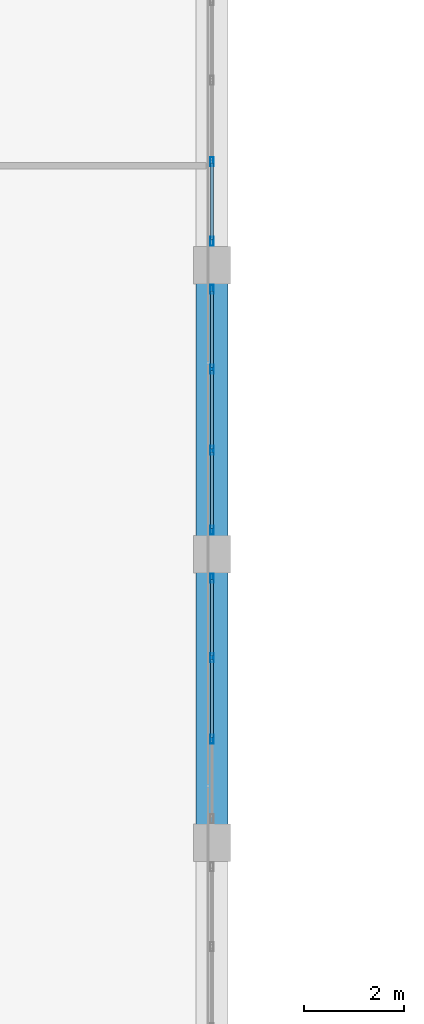
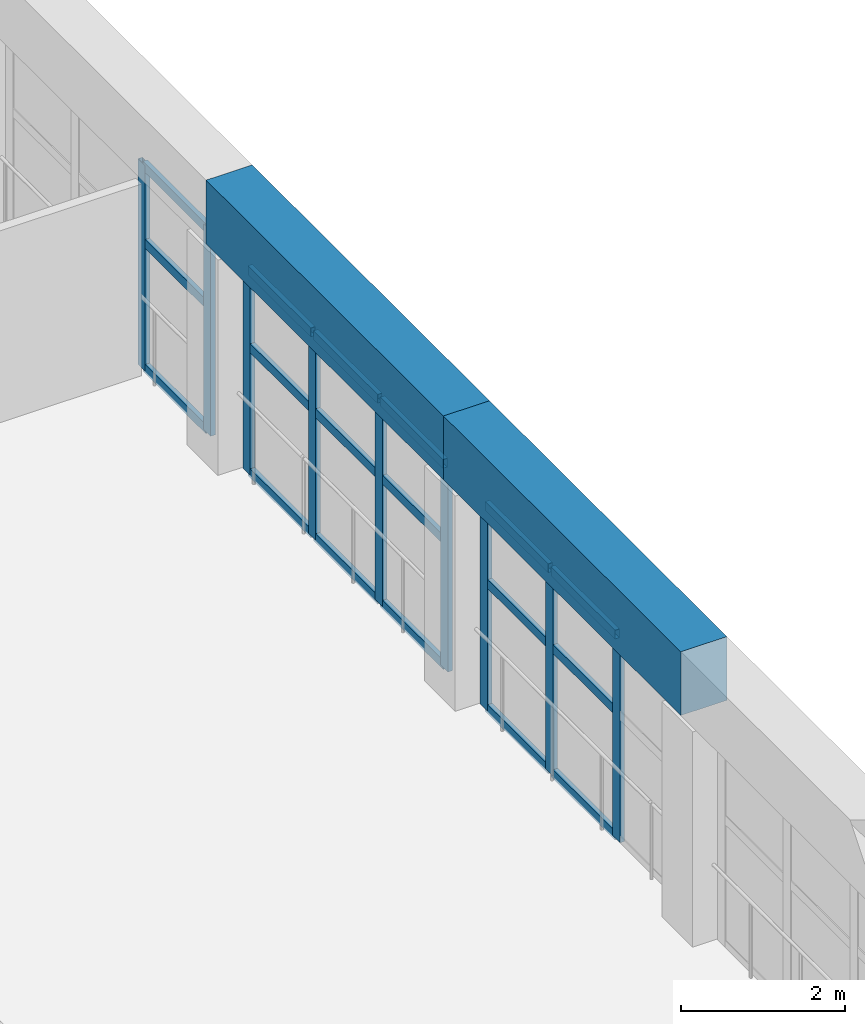
# One storey, part 33 of 128: 27 members, 2 beams, 3 elements without a shape of their own.
"""IFC4 building model written with IfcOpenShell, lengths in metres."""

from ifc_helpers import new_model, si_unit, direction, frame, origin, origin_2d, place, context, subcontext, project, spatial, rectangle, hollow_rectangle, extrude, material, material_profile, profile_set, type_object, element, aggregate, save


model = new_model("IFC4")

# Units and contexts
model_context = context("Model", 3, precision=1e-05, world=origin(), true_north=direction((0.0, 1.0)))
body_context = subcontext(model_context, "Body", "Model", "MODEL_VIEW")
ifc_project = project(units=[si_unit("LENGTHUNIT", "METRE"), si_unit("AREAUNIT", "SQUARE_METRE"), si_unit("VOLUMEUNIT", "CUBIC_METRE"), si_unit("PLANEANGLEUNIT", "RADIAN"), si_unit("MASSUNIT", "GRAM", prefix="KILO")], contexts=[model_context])

# Site, building, storey
site_placement = place(None, origin())
site = spatial("IfcSite", under=ifc_project, at=site_placement, CompositionType="ELEMENT")
building_placement = place(site_placement, origin())
building = spatial("IfcBuilding", under=site, at=building_placement, Name="Tanwirah Colonnade Gardens", CompositionType="ELEMENT")
storey_placement = place(building_placement, frame((0.0, 0.0, 4.760009765625)))
storey = spatial("IfcBuildingStorey", under=building, at=storey_placement, Name="L01", CompositionType="ELEMENT", Elevation=4.760009765625)

# Curtain wall, members
ifc_material_1 = material(Name="Bronze-anodised aluminium and solar-control low-E glass", Category="aluminium")
curtain_wall_type = type_object("IfcCurtainWallType", Name="CW-HALL", PredefinedType="NOTDEFINED", material=ifc_material_1)
curtain_wall_1_placement = place(storey_placement, origin())
curtain_wall_1 = element("IfcCurtainWall", 1, at=curtain_wall_1_placement, inside=storey, type_object=curtain_wall_type, Name="Curtain Wall CW-HALL-L01-E-3", PredefinedType="NOTDEFINED")
ifc_material_2 = material(Name="Bronze-anodised aluminium", Category="aluminium")
ifc_material_profile_1 = material_profile(ifc_material_2, hollow_rectangle(XDim=0.06494140625, YDim=0.179931640625, WallThickness=0.00390625, at=origin_2d()), Name="CW-MUL 65x180x4")
ifc_profile_set_1 = profile_set([ifc_material_profile_1], Name="Bronze-anodised aluminium")
member_type_1 = type_object("IfcMemberType", Name="CWM-65x180", PredefinedType="MULLION", material=ifc_profile_set_1)
member_1_placement = place(storey_placement, frame((108.0, 53.4833984375, 0.0), z_axis=(0.0, 0.0, 1.0), x_axis=(-1.0, 0.0, 0.0)))
member_1 = element("IfcMember", 2, at=member_1_placement, type_object=member_type_1, Name="CW-HALL mullion 2", PredefinedType="MULLION", context=body_context, shape_type="SweptSolid", body=[
    extrude(hollow_rectangle(XDim=0.06494140625, YDim=0.179931640625, WallThickness=0.00390625, at=origin_2d()), origin(), (0.0, 0.0, 1.0), 3.06005859375),
])
member_2_placement = place(storey_placement, frame((108.0, 55.11669921875, 0.0), z_axis=(0.0, 0.0, 1.0), x_axis=(-1.0, 0.0, 0.0)))
member_2 = element("IfcMember", 3, at=member_2_placement, type_object=member_type_1, Name="CW-HALL mullion 3", PredefinedType="MULLION", context=body_context, shape_type="SweptSolid", body=[
    extrude(hollow_rectangle(XDim=0.06494140625, YDim=0.179931640625, WallThickness=0.00390625, at=origin_2d()), origin(), (0.0, 0.0, 1.0), 3.06005859375),
])
member_3_placement = place(storey_placement, frame((108.0, 56.717529296875, 0.0), z_axis=(0.0, 0.0, 1.0), x_axis=(-1.0, 0.0, 0.0)))
member_3 = element("IfcMember", 4, at=member_3_placement, type_object=member_type_1, Name="CW-HALL mullion 4", PredefinedType="MULLION", context=body_context, shape_type="SweptSolid", body=[
    extrude(hollow_rectangle(XDim=0.06494140625, YDim=0.179931640625, WallThickness=0.00390625, at=origin_2d()), origin(), (0.0, 0.0, 1.0), 3.06005859375),
])

curtain_wall_2_placement = place(storey_placement, origin())
curtain_wall_2 = element("IfcCurtainWall", 5, at=curtain_wall_2_placement, inside=storey, type_object=curtain_wall_type, Name="Curtain Wall CW-HALL-L01-E-4", PredefinedType="NOTDEFINED")
member_4_placement = place(storey_placement, frame((108.0, 57.6826171875, 0.0), z_axis=(0.0, 0.0, 1.0), x_axis=(-1.0, 0.0, 0.0)))
member_4 = element("IfcMember", 6, at=member_4_placement, type_object=member_type_1, Name="CW-HALL mullion 1", PredefinedType="MULLION", context=body_context, shape_type="SweptSolid", body=[
    extrude(hollow_rectangle(XDim=0.06494140625, YDim=0.179931640625, WallThickness=0.00390625, at=origin_2d()), origin(), (0.0, 0.0, 1.0), 3.06005859375),
])
member_5_placement = place(storey_placement, frame((108.0, 59.283447265625, 0.0), z_axis=(0.0, 0.0, 1.0), x_axis=(-1.0, 0.0, 0.0)))
member_5 = element("IfcMember", 7, at=member_5_placement, type_object=member_type_1, Name="CW-HALL mullion 2", PredefinedType="MULLION", context=body_context, shape_type="SweptSolid", body=[
    extrude(hollow_rectangle(XDim=0.06494140625, YDim=0.179931640625, WallThickness=0.00390625, at=origin_2d()), origin(), (0.0, 0.0, 1.0), 3.06005859375),
])
member_6_placement = place(storey_placement, frame((108.0, 60.916748046875, 0.0), z_axis=(0.0, 0.0, 1.0), x_axis=(-1.0, 0.0, 0.0)))
member_6 = element("IfcMember", 8, at=member_6_placement, type_object=member_type_1, Name="CW-HALL mullion 3", PredefinedType="MULLION", context=body_context, shape_type="SweptSolid", body=[
    extrude(hollow_rectangle(XDim=0.06494140625, YDim=0.179931640625, WallThickness=0.00390625, at=origin_2d()), origin(), (0.0, 0.0, 1.0), 3.06005859375),
])
member_7_placement = place(storey_placement, frame((108.0, 62.517578125, 0.0), z_axis=(0.0, 0.0, 1.0), x_axis=(-1.0, 0.0, 0.0)))
member_7 = element("IfcMember", 9, at=member_7_placement, type_object=member_type_1, Name="CW-HALL mullion 4", PredefinedType="MULLION", context=body_context, shape_type="SweptSolid", body=[
    extrude(hollow_rectangle(XDim=0.06494140625, YDim=0.179931640625, WallThickness=0.00390625, at=origin_2d()), origin(), (0.0, 0.0, 1.0), 3.06005859375),
])

curtain_wall_3_placement = place(storey_placement, origin())
curtain_wall_3 = element("IfcCurtainWall", 10, at=curtain_wall_3_placement, inside=storey, type_object=curtain_wall_type, Name="Curtain Wall CW-HALL-L01-E-5", PredefinedType="NOTDEFINED")
member_8_placement = place(storey_placement, frame((108.0, 63.482421875, 0.0), z_axis=(0.0, 0.0, 1.0), x_axis=(-1.0, 0.0, 0.0)))
member_8 = element("IfcMember", 11, at=member_8_placement, type_object=member_type_1, Name="CW-HALL mullion 1", PredefinedType="MULLION", context=body_context, shape_type="SweptSolid", body=[
    extrude(hollow_rectangle(XDim=0.06494140625, YDim=0.179931640625, WallThickness=0.00390625, at=origin_2d()), origin(), (0.0, 0.0, 1.0), 3.06005859375),
])
member_9_placement = place(storey_placement, frame((108.0, 65.083251953125, 0.0), z_axis=(0.0, 0.0, 1.0), x_axis=(-1.0, 0.0, 0.0)))
member_9 = element("IfcMember", 12, at=member_9_placement, type_object=member_type_1, Name="CW-HALL mullion 2", PredefinedType="MULLION", context=body_context, shape_type="SweptSolid", body=[
    extrude(hollow_rectangle(XDim=0.06494140625, YDim=0.179931640625, WallThickness=0.00390625, at=origin_2d()), origin(), (0.0, 0.0, 1.0), 3.06005859375),
])

# Member
ifc_material_profile_2 = material_profile(ifc_material_2, hollow_rectangle(XDim=0.06494140625, YDim=0.135009765625, WallThickness=0.00390625, at=origin_2d()), Name="CW-TRN 65x135x4")
ifc_profile_set_2 = profile_set([ifc_material_profile_2], Name="Bronze-anodised aluminium")
member_type_2 = type_object("IfcMemberType", Name="CWT-65x135", PredefinedType="USERDEFINED", material=ifc_profile_set_2)
member_10_placement = place(storey_placement, frame((108.0, 53.515869140625, 0.032470703125), z_axis=(0.0, 1.0, 0.0), x_axis=(-1.0, 0.0, 0.0)))
member_10 = element("IfcMember", 13, at=member_10_placement, type_object=member_type_2, Name="CW-HALL transom 2.1", ObjectType="TRANSOM", PredefinedType="USERDEFINED", context=body_context, shape_type="SweptSolid", body=[
    extrude(hollow_rectangle(XDim=0.06494140625, YDim=0.135009765625, WallThickness=0.00390625, at=origin_2d()), origin(), (0.0, 0.0, 1.0), 1.568359375),
])

member_11_placement = place(storey_placement, frame((108.0, 53.515869140625, 1.897216796875), z_axis=(0.0, 1.0, 0.0), x_axis=(-1.0, 0.0, 0.0)))
member_11 = element("IfcMember", 14, at=member_11_placement, type_object=member_type_2, Name="CW-HALL transom 2.2", ObjectType="TRANSOM", PredefinedType="USERDEFINED", context=body_context, shape_type="SweptSolid", body=[
    extrude(hollow_rectangle(XDim=0.06494140625, YDim=0.135009765625, WallThickness=0.00390625, at=origin_2d()), origin(), (0.0, 0.0, 1.0), 1.568359375),
])

member_12_placement = place(storey_placement, frame((108.0, 53.515869140625, 3.027587890625), z_axis=(0.0, 1.0, 0.0), x_axis=(-1.0, 0.0, 0.0)))
member_12 = element("IfcMember", 15, at=member_12_placement, type_object=member_type_2, Name="CW-HALL transom 2.3", ObjectType="TRANSOM", PredefinedType="USERDEFINED", context=body_context, shape_type="SweptSolid", body=[
    extrude(hollow_rectangle(XDim=0.06494140625, YDim=0.135009765625, WallThickness=0.00390625, at=origin_2d()), origin(), (0.0, 0.0, 1.0), 1.568359375),
])

member_13_placement = place(storey_placement, frame((108.0, 55.149169921875, 0.032470703125), z_axis=(0.0, 1.0, 0.0), x_axis=(-1.0, 0.0, 0.0)))
member_13 = element("IfcMember", 16, at=member_13_placement, type_object=member_type_2, Name="CW-HALL transom 3.1", ObjectType="TRANSOM", PredefinedType="USERDEFINED", context=body_context, shape_type="SweptSolid", body=[
    extrude(hollow_rectangle(XDim=0.06494140625, YDim=0.135009765625, WallThickness=0.00390625, at=origin_2d()), origin(), (0.0, 0.0, 1.0), 1.535888671875),
])

member_14_placement = place(storey_placement, frame((108.0, 55.149169921875, 1.897216796875), z_axis=(0.0, 1.0, 0.0), x_axis=(-1.0, 0.0, 0.0)))
member_14 = element("IfcMember", 17, at=member_14_placement, type_object=member_type_2, Name="CW-HALL transom 3.2", ObjectType="TRANSOM", PredefinedType="USERDEFINED", context=body_context, shape_type="SweptSolid", body=[
    extrude(hollow_rectangle(XDim=0.06494140625, YDim=0.135009765625, WallThickness=0.00390625, at=origin_2d()), origin(), (0.0, 0.0, 1.0), 1.535888671875),
])

member_15_placement = place(storey_placement, frame((108.0, 55.149169921875, 3.027587890625), z_axis=(0.0, 1.0, 0.0), x_axis=(-1.0, 0.0, 0.0)))
member_15 = element("IfcMember", 18, at=member_15_placement, type_object=member_type_2, Name="CW-HALL transom 3.3", ObjectType="TRANSOM", PredefinedType="USERDEFINED", context=body_context, shape_type="SweptSolid", body=[
    extrude(hollow_rectangle(XDim=0.06494140625, YDim=0.135009765625, WallThickness=0.00390625, at=origin_2d()), origin(), (0.0, 0.0, 1.0), 1.535888671875),
])

aggregate(curtain_wall_1, [member_1, member_2, member_3, member_10, member_11, member_12, member_13, member_14, member_15])

member_16_placement = place(storey_placement, frame((108.0, 57.715087890625, 0.032470703125), z_axis=(0.0, 1.0, 0.0), x_axis=(-1.0, 0.0, 0.0)))
member_16 = element("IfcMember", 19, at=member_16_placement, type_object=member_type_2, Name="CW-HALL transom 1.1", ObjectType="TRANSOM", PredefinedType="USERDEFINED", context=body_context, shape_type="SweptSolid", body=[
    extrude(hollow_rectangle(XDim=0.06494140625, YDim=0.135009765625, WallThickness=0.00390625, at=origin_2d()), origin(), (0.0, 0.0, 1.0), 1.53564453125),
])

member_17_placement = place(storey_placement, frame((108.0, 57.715087890625, 1.897216796875), z_axis=(0.0, 1.0, 0.0), x_axis=(-1.0, 0.0, 0.0)))
member_17 = element("IfcMember", 20, at=member_17_placement, type_object=member_type_2, Name="CW-HALL transom 1.2", ObjectType="TRANSOM", PredefinedType="USERDEFINED", context=body_context, shape_type="SweptSolid", body=[
    extrude(hollow_rectangle(XDim=0.06494140625, YDim=0.135009765625, WallThickness=0.00390625, at=origin_2d()), origin(), (0.0, 0.0, 1.0), 1.53564453125),
])

member_18_placement = place(storey_placement, frame((108.0, 57.715087890625, 3.027587890625), z_axis=(0.0, 1.0, 0.0), x_axis=(-1.0, 0.0, 0.0)))
member_18 = element("IfcMember", 21, at=member_18_placement, type_object=member_type_2, Name="CW-HALL transom 1.3", ObjectType="TRANSOM", PredefinedType="USERDEFINED", context=body_context, shape_type="SweptSolid", body=[
    extrude(hollow_rectangle(XDim=0.06494140625, YDim=0.135009765625, WallThickness=0.00390625, at=origin_2d()), origin(), (0.0, 0.0, 1.0), 1.53564453125),
])

member_19_placement = place(storey_placement, frame((108.0, 59.31591796875, 0.032470703125), z_axis=(0.0, 1.0, 0.0), x_axis=(-1.0, 0.0, 0.0)))
member_19 = element("IfcMember", 22, at=member_19_placement, type_object=member_type_2, Name="CW-HALL transom 2.1", ObjectType="TRANSOM", PredefinedType="USERDEFINED", context=body_context, shape_type="SweptSolid", body=[
    extrude(hollow_rectangle(XDim=0.06494140625, YDim=0.135009765625, WallThickness=0.00390625, at=origin_2d()), origin(), (0.0, 0.0, 1.0), 1.568359375),
])

member_20_placement = place(storey_placement, frame((108.0, 59.31591796875, 1.897216796875), z_axis=(0.0, 1.0, 0.0), x_axis=(-1.0, 0.0, 0.0)))
member_20 = element("IfcMember", 23, at=member_20_placement, type_object=member_type_2, Name="CW-HALL transom 2.2", ObjectType="TRANSOM", PredefinedType="USERDEFINED", context=body_context, shape_type="SweptSolid", body=[
    extrude(hollow_rectangle(XDim=0.06494140625, YDim=0.135009765625, WallThickness=0.00390625, at=origin_2d()), origin(), (0.0, 0.0, 1.0), 1.568359375),
])

member_21_placement = place(storey_placement, frame((108.0, 59.31591796875, 3.027587890625), z_axis=(0.0, 1.0, 0.0), x_axis=(-1.0, 0.0, 0.0)))
member_21 = element("IfcMember", 24, at=member_21_placement, type_object=member_type_2, Name="CW-HALL transom 2.3", ObjectType="TRANSOM", PredefinedType="USERDEFINED", context=body_context, shape_type="SweptSolid", body=[
    extrude(hollow_rectangle(XDim=0.06494140625, YDim=0.135009765625, WallThickness=0.00390625, at=origin_2d()), origin(), (0.0, 0.0, 1.0), 1.568359375),
])

member_22_placement = place(storey_placement, frame((108.0, 60.94921875, 0.032470703125), z_axis=(0.0, 1.0, 0.0), x_axis=(-1.0, 0.0, 0.0)))
member_22 = element("IfcMember", 25, at=member_22_placement, type_object=member_type_2, Name="CW-HALL transom 3.1", ObjectType="TRANSOM", PredefinedType="USERDEFINED", context=body_context, shape_type="SweptSolid", body=[
    extrude(hollow_rectangle(XDim=0.06494140625, YDim=0.135009765625, WallThickness=0.00390625, at=origin_2d()), origin(), (0.0, 0.0, 1.0), 1.535888671875),
])

member_23_placement = place(storey_placement, frame((108.0, 60.94921875, 1.897216796875), z_axis=(0.0, 1.0, 0.0), x_axis=(-1.0, 0.0, 0.0)))
member_23 = element("IfcMember", 26, at=member_23_placement, type_object=member_type_2, Name="CW-HALL transom 3.2", ObjectType="TRANSOM", PredefinedType="USERDEFINED", context=body_context, shape_type="SweptSolid", body=[
    extrude(hollow_rectangle(XDim=0.06494140625, YDim=0.135009765625, WallThickness=0.00390625, at=origin_2d()), origin(), (0.0, 0.0, 1.0), 1.535888671875),
])

member_24_placement = place(storey_placement, frame((108.0, 60.94921875, 3.027587890625), z_axis=(0.0, 1.0, 0.0), x_axis=(-1.0, 0.0, 0.0)))
member_24 = element("IfcMember", 27, at=member_24_placement, type_object=member_type_2, Name="CW-HALL transom 3.3", ObjectType="TRANSOM", PredefinedType="USERDEFINED", context=body_context, shape_type="SweptSolid", body=[
    extrude(hollow_rectangle(XDim=0.06494140625, YDim=0.135009765625, WallThickness=0.00390625, at=origin_2d()), origin(), (0.0, 0.0, 1.0), 1.535888671875),
])

aggregate(curtain_wall_2, [member_4, member_5, member_6, member_7, member_16, member_17, member_18, member_19, member_20, member_21, member_22, member_23, member_24])

member_25_placement = place(storey_placement, frame((108.0, 63.514892578125, 0.032470703125), z_axis=(0.0, 1.0, 0.0), x_axis=(-1.0, 0.0, 0.0)))
member_25 = element("IfcMember", 28, at=member_25_placement, type_object=member_type_2, Name="CW-HALL transom 1.1", ObjectType="TRANSOM", PredefinedType="USERDEFINED", context=body_context, shape_type="SweptSolid", body=[
    extrude(hollow_rectangle(XDim=0.06494140625, YDim=0.135009765625, WallThickness=0.00390625, at=origin_2d()), origin(), (0.0, 0.0, 1.0), 1.535888671875),
])

member_26_placement = place(storey_placement, frame((108.0, 63.514892578125, 1.897216796875), z_axis=(0.0, 1.0, 0.0), x_axis=(-1.0, 0.0, 0.0)))
member_26 = element("IfcMember", 29, at=member_26_placement, type_object=member_type_2, Name="CW-HALL transom 1.2", ObjectType="TRANSOM", PredefinedType="USERDEFINED", context=body_context, shape_type="SweptSolid", body=[
    extrude(hollow_rectangle(XDim=0.06494140625, YDim=0.135009765625, WallThickness=0.00390625, at=origin_2d()), origin(), (0.0, 0.0, 1.0), 1.535888671875),
])

member_27_placement = place(storey_placement, frame((108.0, 63.514892578125, 3.027587890625), z_axis=(0.0, 1.0, 0.0), x_axis=(-1.0, 0.0, 0.0)))
member_27 = element("IfcMember", 30, at=member_27_placement, type_object=member_type_2, Name="CW-HALL transom 1.3", ObjectType="TRANSOM", PredefinedType="USERDEFINED", context=body_context, shape_type="SweptSolid", body=[
    extrude(hollow_rectangle(XDim=0.06494140625, YDim=0.135009765625, WallThickness=0.00390625, at=origin_2d()), origin(), (0.0, 0.0, 1.0), 1.535888671875),
])

aggregate(curtain_wall_3, [member_8, member_9, member_25, member_26, member_27])

# Beams
ifc_material_3 = material(Name="Concrete C45/55", Category="concrete")
ifc_material_profile_3 = material_profile(ifc_material_3, rectangle(XDim=0.64990234375, YDim=0.949951171875, at=origin_2d()), Name="RC-RB 650x950")
ifc_profile_set_3 = profile_set([ifc_material_profile_3], Name="Concrete C45/55")
beam_type = type_object("IfcBeamType", Name="RB-V650", PredefinedType="BEAM", material=ifc_profile_set_3)
for number, where, z_axis, x_axis, name in (
    (31, (108.0, 51.39990234375, 3.68505859375), (0.0, 1.0, 0.0), (-1.0, 0.0, 0.0), "Community Hall Vault Ring Beam E-3"),
    (32, (108.0, 57.199951171875, 3.68505859375), (0.0, 1.0, 0.0), (-1.0, 0.0, 0.0), "Community Hall Vault Ring Beam E-4"),
):
    element("IfcBeam", number, at=place(storey_placement, frame(where, z_axis=z_axis, x_axis=x_axis)), inside=storey, type_object=beam_type, Name=name, PredefinedType="BEAM", context=body_context, shape_type="SweptSolid", body=[
        extrude(rectangle(XDim=0.64990234375, YDim=0.949951171875, at=origin_2d()), origin(), (0.0, 0.0, 1.0), 5.800048828125),
    ])

save(model, "model.ifc")
